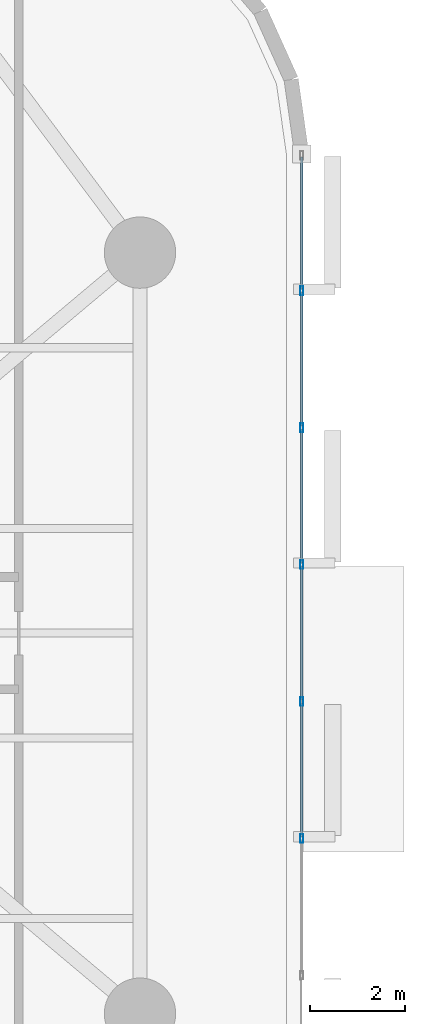
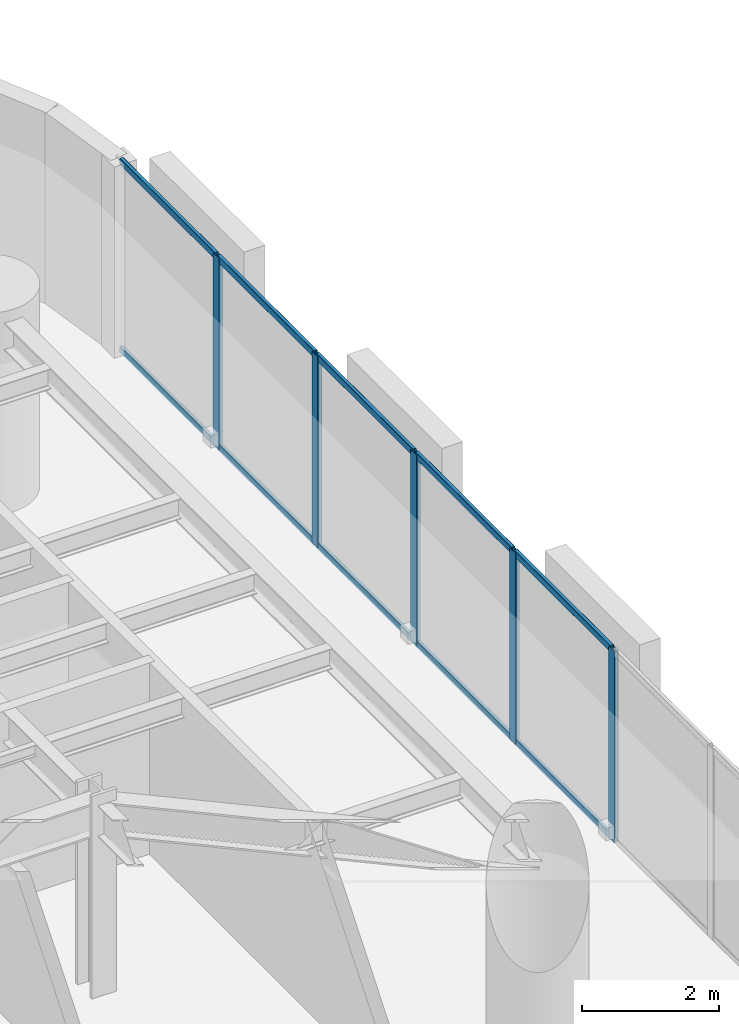
# One storey, part 6 of 15: 15 members, 1 element without a shape of its own.
"""IFC4 building model written with IfcOpenShell, lengths in metres."""

from ifc_helpers import new_model, si_unit, direction, frame, origin, origin_2d, place, context, subcontext, project, spatial, hollow_rectangle, extrude, material, layer, layer_set, material_profile, profile_set, type_object, element, aggregate, save


model = new_model("IFC4")

# Units and contexts
model_context = context("Model", 3, precision=1e-05, world=origin(), true_north=direction((0.0, 1.0)))
body_context = subcontext(model_context, "Body", "Model", "MODEL_VIEW")
ifc_project = project(units=[si_unit("LENGTHUNIT", "METRE"), si_unit("AREAUNIT", "SQUARE_METRE"), si_unit("VOLUMEUNIT", "CUBIC_METRE"), si_unit("PLANEANGLEUNIT", "RADIAN"), si_unit("MASSUNIT", "GRAM", prefix="KILO")], contexts=[model_context])

# Site, building, storey
site_placement = place(None, origin())
site = spatial("IfcSite", under=ifc_project, at=site_placement, CompositionType="ELEMENT")
building_placement = place(site_placement, origin())
building = spatial("IfcBuilding", under=site, at=building_placement, Name="An Khanh Terracotta Commons", CompositionType="ELEMENT")
storey_placement = place(building_placement, frame((0.0, 0.0, 61.199951171875)))
storey = spatial("IfcBuildingStorey", under=building, at=storey_placement, Name="L16", CompositionType="ELEMENT", Elevation=61.199951171875)

# Curtain wall, members
ifc_material = material(Name="Anodised Aluminium 6063-T6", Category="aluminium")
ifc_layer = layer(ifc_material, 0.199951171875, Name="Anodised Aluminium 6063-T6")
ifc_layer_set = layer_set([ifc_layer], Name="Anodised Aluminium 6063-T6")
curtain_wall_type = type_object("IfcCurtainWallType", Name="CW-SYS-02", PredefinedType="USERDEFINED", material=ifc_layer_set)
curtain_wall_placement = place(storey_placement, origin())
curtain_wall = element("IfcCurtainWall", 1, at=curtain_wall_placement, inside=storey, type_object=curtain_wall_type, Name="L16 CW-02 Unitised Curtain Wall CW-L16-12", ObjectType="UNITISED CURTAIN WALL", PredefinedType="USERDEFINED")
ifc_material_profile_1 = material_profile(ifc_material, hollow_rectangle(XDim=0.070068359375, YDim=0.179931640625, WallThickness=0.00390625, InnerFilletRadius=0.00390625, OuterFilletRadius=0.008056640625, at=origin_2d()), Name="RHS180x70x4")
ifc_profile_set_1 = profile_set([ifc_material_profile_1], Name="Anodised Aluminium 6063-T6")
member_type_1 = type_object("IfcMemberType", Name="CWM-RHS180x70x4", PredefinedType="MULLION", material=ifc_profile_set_1)
member_1_placement = place(storey_placement, frame((51.60009765625, 19.681396484375, 0.0), z_axis=(0.0, 0.0, 1.0), x_axis=(-1.0, 0.0, 0.0)))
member_1 = element("IfcMember", 2, at=member_1_placement, type_object=member_type_1, Name="CW-02 mullion 3", PredefinedType="MULLION", context=body_context, shape_type="SweptSolid", body=[
    extrude(hollow_rectangle(XDim=0.070068359375, YDim=0.179931640625, WallThickness=0.00390625, InnerFilletRadius=0.00390625, OuterFilletRadius=0.008056640625, at=origin_2d()), origin(), (0.0, 0.0, 1.0), 3.400146484375),
])
member_2_placement = place(storey_placement, frame((51.60009765625, 22.560546875, 0.0), z_axis=(0.0, 0.0, 1.0), x_axis=(-1.0, 0.0, 0.0)))
member_2 = element("IfcMember", 3, at=member_2_placement, type_object=member_type_1, Name="CW-02 mullion 4", PredefinedType="MULLION", context=body_context, shape_type="SweptSolid", body=[
    extrude(hollow_rectangle(XDim=0.070068359375, YDim=0.179931640625, WallThickness=0.00390625, InnerFilletRadius=0.00390625, OuterFilletRadius=0.008056640625, at=origin_2d()), origin(), (0.0, 0.0, 1.0), 3.400146484375),
])
member_3_placement = place(storey_placement, frame((51.60009765625, 25.439453125, 0.0), z_axis=(0.0, 0.0, 1.0), x_axis=(-1.0, 0.0, 0.0)))
member_3 = element("IfcMember", 4, at=member_3_placement, type_object=member_type_1, Name="CW-02 mullion 5", PredefinedType="MULLION", context=body_context, shape_type="SweptSolid", body=[
    extrude(hollow_rectangle(XDim=0.070068359375, YDim=0.179931640625, WallThickness=0.00390625, InnerFilletRadius=0.00390625, OuterFilletRadius=0.008056640625, at=origin_2d()), origin(), (0.0, 0.0, 1.0), 3.400146484375),
])
member_4_placement = place(storey_placement, frame((51.60009765625, 28.318603515625, 0.0), z_axis=(0.0, 0.0, 1.0), x_axis=(-1.0, 0.0, 0.0)))
member_4 = element("IfcMember", 5, at=member_4_placement, type_object=member_type_1, Name="CW-02 mullion 6", PredefinedType="MULLION", context=body_context, shape_type="SweptSolid", body=[
    extrude(hollow_rectangle(XDim=0.070068359375, YDim=0.179931640625, WallThickness=0.00390625, InnerFilletRadius=0.00390625, OuterFilletRadius=0.008056640625, at=origin_2d()), origin(), (0.0, 0.0, 1.0), 3.400146484375),
])
member_5_placement = place(storey_placement, frame((51.60009765625, 31.19775390625, 0.0), z_axis=(0.0, 0.0, 1.0), x_axis=(-1.0, 0.0, 0.0)))
member_5 = element("IfcMember", 6, at=member_5_placement, type_object=member_type_1, Name="CW-02 mullion 7", PredefinedType="MULLION", context=body_context, shape_type="SweptSolid", body=[
    extrude(hollow_rectangle(XDim=0.070068359375, YDim=0.179931640625, WallThickness=0.00390625, InnerFilletRadius=0.00390625, OuterFilletRadius=0.008056640625, at=origin_2d()), origin(), (0.0, 0.0, 1.0), 3.400146484375),
])
ifc_material_profile_2 = material_profile(ifc_material, hollow_rectangle(XDim=0.06005859375, YDim=0.1201171875, WallThickness=0.003662109375, InnerFilletRadius=0.003662109375, OuterFilletRadius=0.007080078125, at=origin_2d()), Name="RHS120x60x3.6")
ifc_profile_set_2 = profile_set([ifc_material_profile_2], Name="Anodised Aluminium 6063-T6")
member_type_2 = type_object("IfcMemberType", Name="CWT-RHS120x60x3.6", PredefinedType="USERDEFINED", material=ifc_profile_set_2)
member_6_placement = place(storey_placement, frame((51.60009765625, 19.71630859375, 0.030029296875), z_axis=(0.0, 1.0, 0.0), x_axis=(-1.0, 0.0, 0.0)))
member_6 = element("IfcMember", 7, at=member_6_placement, type_object=member_type_2, Name="CW-02 transom 3.1", ObjectType="TRANSOM", PredefinedType="USERDEFINED", context=body_context, shape_type="SweptSolid", body=[
    extrude(hollow_rectangle(XDim=0.06005859375, YDim=0.1201171875, WallThickness=0.003662109375, InnerFilletRadius=0.003662109375, OuterFilletRadius=0.007080078125, at=origin_2d()), origin(), (0.0, 0.0, 1.0), 2.80908203125),
])
member_7_placement = place(storey_placement, frame((51.60009765625, 19.71630859375, 3.3701171875), z_axis=(0.0, 1.0, 0.0), x_axis=(-1.0, 0.0, 0.0)))
member_7 = element("IfcMember", 8, at=member_7_placement, type_object=member_type_2, Name="CW-02 transom 3.2", ObjectType="TRANSOM", PredefinedType="USERDEFINED", context=body_context, shape_type="SweptSolid", body=[
    extrude(hollow_rectangle(XDim=0.06005859375, YDim=0.1201171875, WallThickness=0.003662109375, InnerFilletRadius=0.003662109375, OuterFilletRadius=0.007080078125, at=origin_2d()), origin(), (0.0, 0.0, 1.0), 2.80908203125),
])
member_8_placement = place(storey_placement, frame((51.60009765625, 22.595458984375, 0.030029296875), z_axis=(0.0, 1.0, 0.0), x_axis=(-1.0, 0.0, 0.0)))
member_8 = element("IfcMember", 9, at=member_8_placement, type_object=member_type_2, Name="CW-02 transom 4.1", ObjectType="TRANSOM", PredefinedType="USERDEFINED", context=body_context, shape_type="SweptSolid", body=[
    extrude(hollow_rectangle(XDim=0.06005859375, YDim=0.1201171875, WallThickness=0.003662109375, InnerFilletRadius=0.003662109375, OuterFilletRadius=0.007080078125, at=origin_2d()), origin(), (0.0, 0.0, 1.0), 2.80908203125),
])
member_9_placement = place(storey_placement, frame((51.60009765625, 22.595458984375, 3.3701171875), z_axis=(0.0, 1.0, 0.0), x_axis=(-1.0, 0.0, 0.0)))
member_9 = element("IfcMember", 10, at=member_9_placement, type_object=member_type_2, Name="CW-02 transom 4.2", ObjectType="TRANSOM", PredefinedType="USERDEFINED", context=body_context, shape_type="SweptSolid", body=[
    extrude(hollow_rectangle(XDim=0.06005859375, YDim=0.1201171875, WallThickness=0.003662109375, InnerFilletRadius=0.003662109375, OuterFilletRadius=0.007080078125, at=origin_2d()), origin(), (0.0, 0.0, 1.0), 2.80908203125),
])
member_10_placement = place(storey_placement, frame((51.60009765625, 25.474609375, 0.030029296875), z_axis=(0.0, 1.0, 0.0), x_axis=(-1.0, 0.0, 0.0)))
member_10 = element("IfcMember", 11, at=member_10_placement, type_object=member_type_2, Name="CW-02 transom 5.1", ObjectType="TRANSOM", PredefinedType="USERDEFINED", context=body_context, shape_type="SweptSolid", body=[
    extrude(hollow_rectangle(XDim=0.06005859375, YDim=0.1201171875, WallThickness=0.003662109375, InnerFilletRadius=0.003662109375, OuterFilletRadius=0.007080078125, at=origin_2d()), origin(), (0.0, 0.0, 1.0), 2.80908203125),
])
member_11_placement = place(storey_placement, frame((51.60009765625, 25.474609375, 3.3701171875), z_axis=(0.0, 1.0, 0.0), x_axis=(-1.0, 0.0, 0.0)))
member_11 = element("IfcMember", 12, at=member_11_placement, type_object=member_type_2, Name="CW-02 transom 5.2", ObjectType="TRANSOM", PredefinedType="USERDEFINED", context=body_context, shape_type="SweptSolid", body=[
    extrude(hollow_rectangle(XDim=0.06005859375, YDim=0.1201171875, WallThickness=0.003662109375, InnerFilletRadius=0.003662109375, OuterFilletRadius=0.007080078125, at=origin_2d()), origin(), (0.0, 0.0, 1.0), 2.80908203125),
])
member_12_placement = place(storey_placement, frame((51.60009765625, 28.353759765625, 0.030029296875), z_axis=(0.0, 1.0, 0.0), x_axis=(-1.0, 0.0, 0.0)))
member_12 = element("IfcMember", 13, at=member_12_placement, type_object=member_type_2, Name="CW-02 transom 6.1", ObjectType="TRANSOM", PredefinedType="USERDEFINED", context=body_context, shape_type="SweptSolid", body=[
    extrude(hollow_rectangle(XDim=0.06005859375, YDim=0.1201171875, WallThickness=0.003662109375, InnerFilletRadius=0.003662109375, OuterFilletRadius=0.007080078125, at=origin_2d()), origin(), (0.0, 0.0, 1.0), 2.80908203125),
])
member_13_placement = place(storey_placement, frame((51.60009765625, 28.353759765625, 3.3701171875), z_axis=(0.0, 1.0, 0.0), x_axis=(-1.0, 0.0, 0.0)))
member_13 = element("IfcMember", 14, at=member_13_placement, type_object=member_type_2, Name="CW-02 transom 6.2", ObjectType="TRANSOM", PredefinedType="USERDEFINED", context=body_context, shape_type="SweptSolid", body=[
    extrude(hollow_rectangle(XDim=0.06005859375, YDim=0.1201171875, WallThickness=0.003662109375, InnerFilletRadius=0.003662109375, OuterFilletRadius=0.007080078125, at=origin_2d()), origin(), (0.0, 0.0, 1.0), 2.80908203125),
])
member_14_placement = place(storey_placement, frame((51.60009765625, 31.23291015625, 0.030029296875), z_axis=(0.0, 1.0, 0.0), x_axis=(-1.0, 0.0, 0.0)))
member_14 = element("IfcMember", 15, at=member_14_placement, type_object=member_type_2, Name="CW-02 transom 7.1", ObjectType="TRANSOM", PredefinedType="USERDEFINED", context=body_context, shape_type="SweptSolid", body=[
    extrude(hollow_rectangle(XDim=0.06005859375, YDim=0.1201171875, WallThickness=0.003662109375, InnerFilletRadius=0.003662109375, OuterFilletRadius=0.007080078125, at=origin_2d()), origin(), (0.0, 0.0, 1.0), 2.774169921875),
])
member_15_placement = place(storey_placement, frame((51.60009765625, 31.23291015625, 3.3701171875), z_axis=(0.0, 1.0, 0.0), x_axis=(-1.0, 0.0, 0.0)))
member_15 = element("IfcMember", 16, at=member_15_placement, type_object=member_type_2, Name="CW-02 transom 7.2", ObjectType="TRANSOM", PredefinedType="USERDEFINED", context=body_context, shape_type="SweptSolid", body=[
    extrude(hollow_rectangle(XDim=0.06005859375, YDim=0.1201171875, WallThickness=0.003662109375, InnerFilletRadius=0.003662109375, OuterFilletRadius=0.007080078125, at=origin_2d()), origin(), (0.0, 0.0, 1.0), 2.774169921875),
])
aggregate(curtain_wall, [member_1, member_2, member_3, member_4, member_5, member_6, member_7, member_8, member_9, member_10, member_11, member_12, member_13, member_14, member_15])

save(model, "model.ifc")
